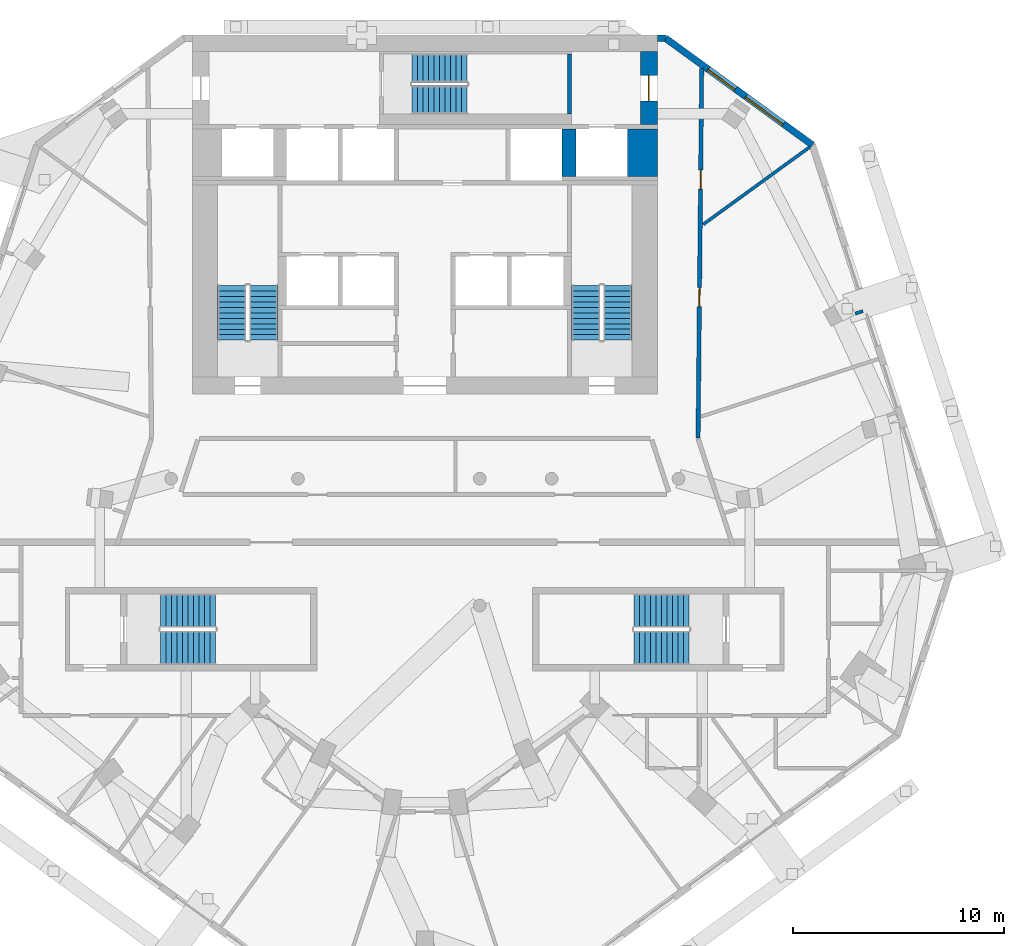
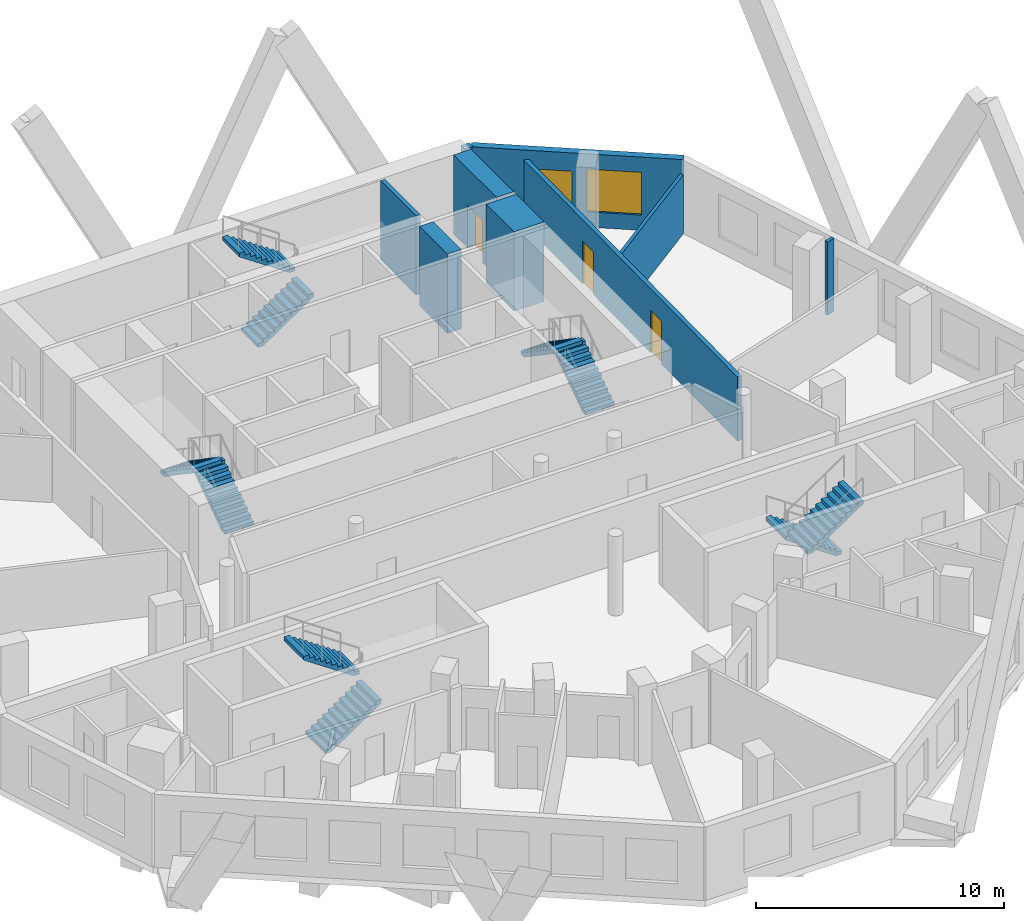
# One storey, part 8 of 10: 10 stair flights, 9 walls, 3 doors, 2 windows, 5 openings, 5 elements without a shape of their own.
"""IFC4 building model written with IfcOpenShell, lengths in metres."""

from ifc_helpers import new_model, si_unit, direction, frame, frame_2d, origin, place, context, subcontext, project, spatial, polyline, rectangle, outline, extrude, material, layer, layer_set, type_object, element, fill, aggregate, save


model = new_model("IFC4")

# Units and contexts
model_context = context("Model", 3, precision=1e-05, world=origin(), true_north=direction((0.0, 1.0)))
body_context = subcontext(model_context, "Body", "Model", "MODEL_VIEW")
ifc_project = project(units=[si_unit("LENGTHUNIT", "METRE"), si_unit("AREAUNIT", "SQUARE_METRE"), si_unit("VOLUMEUNIT", "CUBIC_METRE"), si_unit("PLANEANGLEUNIT", "RADIAN"), si_unit("MASSUNIT", "GRAM", prefix="KILO")], contexts=[model_context])

# Site, building, storey
site_placement = place(None, origin())
site = spatial("IfcSite", under=ifc_project, at=site_placement, CompositionType="ELEMENT")
building_placement = place(site_placement, origin())
building = spatial("IfcBuilding", under=site, at=building_placement, Name="White Candle Pilgrim Tower", CompositionType="ELEMENT")
storey_placement = place(building_placement, frame((0.0, 0.0, 196.5)))
storey = spatial("IfcBuildingStorey", under=building, at=storey_placement, Name="L45", CompositionType="ELEMENT", Elevation=196.5)

# Wall
ifc_material_1 = material(Name="Concrete C50/60", Category="concrete")
ifc_layer_1 = layer(ifc_material_1, 1.39990234375)
ifc_layer_set_1 = layer_set([ifc_layer_1], Name="Core wall 1400 mm Concrete C50/60")
wall_type_1 = type_object("IfcWallType", Name="Core wall 1400 mm Concrete C50/60", PredefinedType="SHEAR", material=ifc_layer_set_1)
wall_1_placement = place(storey_placement, frame((80.300048828125, 81.300048828125, 0.0), z_axis=(0.0, 0.0, 1.0), x_axis=(0.0, 1.0, 0.0)))
element("IfcWall", 1, at=wall_1_placement, inside=storey, type_object=wall_type_1, Name="WL-L45-C42", PredefinedType="SHEAR", context=body_context, shape_type="SweptSolid", body=[
    extrude(rectangle(XDim=2.25, YDim=1.39990234375, at=frame_2d((1.125, 0.0))), origin(), (0.0, 0.0, 1.0), 3.89990234375),
])

# Wall, opening, door
ifc_layer_2 = layer(ifc_material_1, 0.800048828125)
ifc_layer_set_2 = layer_set([ifc_layer_2], Name="Core wall 800 mm Concrete C50/60")
wall_type_2 = type_object("IfcWallType", Name="Core wall 800 mm Concrete C50/60", PredefinedType="SHEAR", material=ifc_layer_set_2)
wall_2_placement = place(storey_placement, frame((80.60009765625, 83.75, 0.0), z_axis=(0.0, 0.0, 1.0), x_axis=(0.0, 1.0, 0.0)))
wall_2 = element("IfcWall", 2, at=wall_2_placement, inside=storey, type_object=wall_type_2, Name="WL-L45-C46", PredefinedType="SHEAR", context=body_context, shape_type="SweptSolid", body=[
    extrude(rectangle(XDim=3.449951171875, YDim=0.800048828125, at=frame_2d((1.72509765625, 0.0))), origin(), (0.0, 0.0, 1.0), 3.89990234375),
])
opening_1_placement = place(wall_2_placement, frame((1.125, 0.0, 0.0)))
opening_1 = element("IfcOpeningElement", 3, at=opening_1_placement, cuts=wall_2, Name="Opening T14-009", PredefinedType="OPENING", context=body_context, shape_type="SweptSolid", body=[
    extrude(rectangle(XDim=1.199951171875, YDim=2.10009765625, at=frame_2d((0.60009765625, 1.050048828125))), frame((0.0, 0.409912109375, 0.0), z_axis=(0.0, -1.0, 0.0), x_axis=(1.0, 0.0, 0.0)), (0.0, 0.0, 1.0), 0.820068359375),
])
ifc_material_2 = material(Name="Steel door leaf", Category="steel")
door_type_1 = type_object("IfcDoorType", Name="Fire door 1200 x 2100 EI 30", OperationType="NOTDEFINED", PredefinedType="DOOR", material=ifc_material_2)
door_1_placement = place(opening_1_placement, origin())
door_1 = element("IfcDoor", 4, at=door_1_placement, inside=storey, type_object=door_type_1, Name="Door T14-009", OperationType="SINGLE_SWING_LEFT", OverallHeight=2.10009765625, OverallWidth=1.199951171875, PredefinedType="DOOR", context=body_context, shape_type="SweptSolid", body=[
    extrude(rectangle(XDim=1.199951171875, YDim=2.10009765625, at=frame_2d((0.60009765625, 1.050048828125))), frame((0.0, 0.02490234375, 0.0), z_axis=(0.0, -1.0, 0.0), x_axis=(1.0, 0.0, 0.0)), (0.0, 0.0, 1.0), 0.050048828125),
])
fill(opening_1, door_1)

# Wall, openings, doors
ifc_material_3 = material(Name="Gypsum board on steel studs", Category="steel")
ifc_layer_3 = layer(ifc_material_3, 0.199951171875)
ifc_layer_set_3 = layer_set([ifc_layer_3], Name="Corridor wall 200 mm EI 45")
wall_type_3 = type_object("IfcWallType", Name="Corridor wall 200 mm EI 45", PredefinedType="PARTITIONING", material=ifc_layer_set_3)
wall_3_placement = place(storey_placement, frame((83.10009765625, 86.396240234375, 0.0), z_axis=(0.0, 0.0, 1.0), x_axis=(-0.009846166448, -0.999951525328, 0.0)))
wall_3 = element("IfcWall", 5, at=wall_3_placement, inside=storey, type_object=wall_type_3, Name="WL-L45-P004", PredefinedType="PARTITIONING", context=body_context, shape_type="SweptSolid", body=[
    extrude(rectangle(XDim=17.480712890625, YDim=0.199951171875, at=frame_2d((8.740234375, 0.0))), origin(), (0.0, 0.0, 1.0), 3.14990234375),
])
opening_2_placement = place(wall_3_placement, frame((4.794189453125, 0.0, 0.0)))
opening_2 = element("IfcOpeningElement", 6, at=opening_2_placement, cuts=wall_3, Name="Opening T14-121", PredefinedType="OPENING", context=body_context, shape_type="SweptSolid", body=[
    extrude(rectangle(XDim=0.89990234375, YDim=2.10009765625, at=frame_2d((0.449951171875, 1.050048828125))), frame((0.0, 0.10986328125, 0.0), z_axis=(0.0, -1.0, 0.0), x_axis=(1.0, 0.0, 0.0)), (0.0, 0.0, 1.0), 0.219970703125),
])
opening_3_placement = place(wall_3_placement, frame((10.353515625, 0.0, 0.0)))
opening_3 = element("IfcOpeningElement", 7, at=opening_3_placement, cuts=wall_3, Name="Opening T14-122", PredefinedType="OPENING", context=body_context, shape_type="SweptSolid", body=[
    extrude(rectangle(XDim=0.89990234375, YDim=2.10009765625, at=frame_2d((0.449951171875, 1.050048828125))), frame((0.0, 0.10986328125, 0.0), z_axis=(0.0, -1.0, 0.0), x_axis=(1.0, 0.0, 0.0)), (0.0, 0.0, 1.0), 0.219970703125),
])
door_type_2 = type_object("IfcDoorType", Name="Fire door 900 x 2100 EI 30", OperationType="NOTDEFINED", PredefinedType="DOOR", material=ifc_material_2)
door_2_placement = place(opening_2_placement, origin())
door_2 = element("IfcDoor", 8, at=door_2_placement, inside=storey, type_object=door_type_2, Name="Door T14-121", OperationType="SINGLE_SWING_LEFT", OverallHeight=2.10009765625, OverallWidth=0.89990234375, PredefinedType="DOOR", context=body_context, shape_type="SweptSolid", body=[
    extrude(rectangle(XDim=0.89990234375, YDim=2.10009765625, at=frame_2d((0.449951171875, 1.050048828125))), frame((0.0, 0.02490234375, 0.0), z_axis=(0.0, -1.0, 0.0), x_axis=(1.0, 0.0, 0.0)), (0.0, 0.0, 1.0), 0.050048828125),
])
fill(opening_2, door_2)
door_3_placement = place(opening_3_placement, origin())
door_3 = element("IfcDoor", 9, at=door_3_placement, inside=storey, type_object=door_type_2, Name="Door T14-122", OperationType="SINGLE_SWING_RIGHT", OverallHeight=2.10009765625, OverallWidth=0.89990234375, PredefinedType="DOOR", context=body_context, shape_type="SweptSolid", body=[
    extrude(rectangle(XDim=0.89990234375, YDim=2.10009765625, at=frame_2d((0.449951171875, 1.050048828125))), frame((0.0, 0.02490234375, 0.0), z_axis=(0.0, -1.0, 0.0), x_axis=(1.0, 0.0, 0.0)), (0.0, 0.0, 1.0), 0.050048828125),
])
fill(opening_3, door_3)

# Wall, openings, windows
ifc_material_4 = material(Name="Precast concrete C40/50", Category="concrete")
ifc_layer_4 = layer(ifc_material_4, 0.320068359375)
ifc_layer_set_4 = layer_set([ifc_layer_4], Name="Facade wall EW1 precast concrete C40/50 pier wall with timber-lined reveals")
wall_type_4 = type_object("IfcWallType", Name="Facade wall EW1 precast concrete C40/50 pier wall with timber-lined reveals", PredefinedType="SOLIDWALL", material=ifc_layer_set_4)
wall_4_placement = place(storey_placement, frame((88.342041015625, 82.785400390625, 0.0), z_axis=(0.0, 0.0, 1.0), x_axis=(-0.809010998506, 0.58779350481, 0.0)))
wall_4 = element("IfcWall", 10, at=wall_4_placement, inside=storey, type_object=wall_type_4, Name="Facade wall L45 NE chamfer", PredefinedType="SOLIDWALL", context=body_context, shape_type="SweptSolid", body=[
    extrude(rectangle(XDim=8.599365234375, YDim=0.320068359375, at=frame_2d((4.2998046875, 0.0))), origin(), (0.0, 0.0, 1.0), 3.60009765625),
])
opening_4_placement = place(wall_4_placement, frame((1.69970703125, 0.0, 0.75)))
opening_4 = element("IfcOpeningElement", 11, at=opening_4_placement, cuts=wall_4, Name="Opening W4", PredefinedType="OPENING", context=body_context, shape_type="SweptSolid", body=[
    extrude(rectangle(XDim=2.199951171875, YDim=2.10009765625, at=frame_2d((1.10009765625, 1.050048828125))), frame((0.0, 0.169921875, 0.0), z_axis=(0.0, -1.0, 0.0), x_axis=(1.0, 0.0, 0.0)), (0.0, 0.0, 1.0), 0.340087890625),
])
opening_5_placement = place(wall_4_placement, frame((4.499755859375, 0.0, 0.89990234375)))
opening_5 = element("IfcOpeningElement", 12, at=opening_5_placement, cuts=wall_4, Name="Opening W2", PredefinedType="OPENING", context=body_context, shape_type="SweptSolid", body=[
    extrude(rectangle(XDim=1.60009765625, YDim=1.800048828125, at=frame_2d((0.800048828125, 0.89990234375))), frame((0.0, 0.169921875, 0.0), z_axis=(0.0, -1.0, 0.0), x_axis=(1.0, 0.0, 0.0)), (0.0, 0.0, 1.0), 0.340087890625),
])
ifc_material_5 = material(Name="Timber frame with triple glazing", Category="wood")
window_type_1 = type_object("IfcWindowType", Name="Window W2 1600x1800 timber frame triple glazing", PartitioningType="SINGLE_PANEL", PredefinedType="WINDOW", material=ifc_material_5)
window_1_placement = place(opening_5_placement, origin())
window_1 = element("IfcWindow", 13, at=window_1_placement, inside=storey, type_object=window_type_1, Name="Window W2 L45 NE chamfer 2", OverallHeight=1.800048828125, OverallWidth=1.60009765625, PartitioningType="SINGLE_PANEL", PredefinedType="WINDOW", context=body_context, shape_type="SweptSolid", body=[
    extrude(rectangle(XDim=1.60009765625, YDim=1.800048828125, at=frame_2d((0.800048828125, 0.89990234375))), frame((0.0, 0.070068359375, 0.0), z_axis=(0.0, -1.0, 0.0), x_axis=(1.0, 0.0, 0.0)), (0.0, 0.0, 1.0), 0.06005859375),
])
fill(opening_5, window_1)
window_type_2 = type_object("IfcWindowType", Name="Window W4 2200x2100 timber frame triple glazing", PartitioningType="SINGLE_PANEL", PredefinedType="WINDOW", material=ifc_material_5)
window_2_placement = place(opening_4_placement, origin())
window_2 = element("IfcWindow", 14, at=window_2_placement, inside=storey, type_object=window_type_2, Name="Window W4 L45 NE chamfer 1", OverallHeight=2.10009765625, OverallWidth=2.199951171875, PartitioningType="SINGLE_PANEL", PredefinedType="WINDOW", context=body_context, shape_type="SweptSolid", body=[
    extrude(rectangle(XDim=2.199951171875, YDim=2.10009765625, at=frame_2d((1.10009765625, 1.050048828125))), frame((0.0, 0.070068359375, 0.0), z_axis=(0.0, -1.0, 0.0), x_axis=(1.0, 0.0, 0.0)), (0.0, 0.0, 1.0), 0.06005859375),
])
fill(opening_4, window_2)

# Walls
wall_5_placement = place(storey_placement, frame((81.385009765625, 87.840087890625, 0.0), z_axis=(0.0, 0.0, 1.0), x_axis=(-1.0, 0.0, 0.0)))
element("IfcWall", 15, at=wall_5_placement, inside=storey, type_object=wall_type_4, Name="Facade wall L45 N", PredefinedType="SOLIDWALL", context=body_context, shape_type="SweptSolid", body=[
    extrude(rectangle(XDim=0.385009765625, YDim=0.320068359375, at=frame_2d((0.1923828125, 0.0))), origin(), (0.0, 0.0, 1.0), 3.60009765625),
])
ifc_layer_5 = layer(ifc_material_3, 0.14990234375)
ifc_layer_set_5 = layer_set([ifc_layer_5], Name="Partition 150 mm EI 60")
wall_type_5 = type_object("IfcWallType", Name="Partition 150 mm EI 60", PredefinedType="PARTITIONING", material=ifc_layer_set_5)
wall_6_placement = place(storey_placement, frame((88.2060546875, 82.6865234375, 0.0), z_axis=(0.0, 0.0, 1.0), x_axis=(-0.809027823237, -0.587770347354, 0.0)))
element("IfcWall", 16, at=wall_6_placement, inside=storey, type_object=wall_type_5, Name="WL-L45-P024", PredefinedType="PARTITIONING", context=body_context, shape_type="SweptSolid", body=[
    extrude(rectangle(XDim=6.22216796875, YDim=0.14990234375, at=frame_2d((3.111083984375, 0.0))), origin(), (0.0, 0.0, 1.0), 2.89990234375),
])
wall_7_placement = place(storey_placement, frame((90.364501953125, 74.80859375, 0.0), z_axis=(0.0, 0.0, 1.0), x_axis=(0.951024661998, 0.309115014633, 0.0)))
element("IfcWall", 17, at=wall_7_placement, inside=storey, type_object=wall_type_5, Name="WL-L45-P050", PredefinedType="PARTITIONING", context=body_context, shape_type="SweptSolid", body=[
    extrude(rectangle(XDim=0.381591796875, YDim=0.14990234375, at=frame_2d((0.19091796875, 0.0))), origin(), (0.0, 0.0, 1.0), 3.60009765625),
])
ifc_layer_6 = layer(ifc_material_1, 0.64990234375)
ifc_layer_set_6 = layer_set([ifc_layer_6], Name="Shaft wall 650 mm Concrete C50/60")
wall_type_6 = type_object("IfcWallType", Name="Shaft wall 650 mm Concrete C50/60", PredefinedType="SHEAR", material=ifc_layer_set_6)
wall_8_placement = place(storey_placement, frame((76.824951171875, 81.300048828125, 0.0), z_axis=(0.0, 0.0, 1.0), x_axis=(0.0, 1.0, 0.0)))
element("IfcWall", 18, at=wall_8_placement, inside=storey, type_object=wall_type_6, Name="WL-L45-C41", PredefinedType="SHEAR", context=body_context, shape_type="SweptSolid", body=[
    extrude(rectangle(XDim=2.25, YDim=0.64990234375, at=frame_2d((1.125, 0.0))), origin(), (0.0, 0.0, 1.0), 3.89990234375),
])
ifc_layer_7 = layer(ifc_material_1, 0.199951171875)
ifc_layer_set_7 = layer_set([ifc_layer_7], Name="Stair shaft wall 200 mm Concrete C50/60")
wall_type_7 = type_object("IfcWallType", Name="Stair shaft wall 200 mm Concrete C50/60", PredefinedType="SHEAR", material=ifc_layer_set_7)
wall_9_placement = place(storey_placement, frame((76.85009765625, 84.25, 0.0), z_axis=(0.0, 0.0, 1.0), x_axis=(0.0, 1.0, 0.0)))
element("IfcWall", 19, at=wall_9_placement, inside=storey, type_object=wall_type_7, Name="WL-L45-C48", PredefinedType="SHEAR", context=body_context, shape_type="SweptSolid", body=[
    extrude(rectangle(XDim=2.85009765625, YDim=0.199951171875, at=frame_2d((1.425048828125, 0.0))), origin(), (0.0, 0.0, 1.0), 3.89990234375),
])

# Stair, stair flights
ifc_material_6 = material(Name="Concrete C40/50", Category="concrete")
stair_type_1 = type_object("IfcStairType", Name="Exit stair 1 flight width 1350 mm", PredefinedType="HALF_TURN_STAIR", material=ifc_material_6)
stair_1_placement = place(storey_placement, origin())
stair_1 = element("IfcStair", 20, at=stair_1_placement, inside=storey, type_object=stair_type_1, Name="L45 stair 1", PredefinedType="NOTDEFINED")
ifc_layer_8 = layer(ifc_material_6, 0.14990234375)
ifc_layer_set_8 = layer_set([ifc_layer_8], Name="Stair flight Concrete C40/50")
stair_flight_type = type_object("IfcStairFlightType", Name="Stair flight Concrete C40/50", PredefinedType="STRAIGHT", material=ifc_layer_set_8)
stair_flight_1_placement = place(storey_placement, frame((62.375, 73.550048828125, 0.0), z_axis=(0.0, 0.0, 1.0), x_axis=(0.0, 1.0, 0.0)))
stair_flight_1 = element("IfcStairFlight", 21, at=stair_flight_1_placement, type_object=stair_flight_type, Name="ST1 flight 1", NumberOfRisers=11, NumberOfTreads=10, PredefinedType="NOTDEFINED", RiserHeight=0.177272727, TreadLength=0.26, context=body_context, shape_type="SweptSolid", body=[
    extrude(outline(polyline([(0.0, 0.0), (0.0, 0.17724609375), (0.260009765625, 0.17724609375), (0.260009765625, 0.3544921875), (0.52001953125, 0.3544921875), (0.52001953125, 0.53173828125), (0.780029296875, 0.53173828125), (0.780029296875, 0.708984375), (1.0400390625, 0.708984375), (1.0400390625, 0.886474609375), (1.300048828125, 0.886474609375), (1.300048828125, 1.063720703125), (1.56005859375, 1.063720703125), (1.56005859375, 1.240966796875), (1.820068359375, 1.240966796875), (1.820068359375, 1.418212890625), (2.080078125, 1.418212890625), (2.080078125, 1.595458984375), (2.340087890625, 1.595458984375), (2.340087890625, 1.772705078125), (2.60009765625, 1.772705078125), (2.60009765625, 1.949951171875), (2.60009765625, 1.59130859375), (0.26611328125, 0.0), (0.0, 0.0)])), frame((0.0, 0.675048828125, 0.0), z_axis=(0.0, -1.0, 0.0), x_axis=(1.0, 0.0, 0.0)), (0.0, 0.0, 1.0), 1.35009765625),
])
stair_flight_2_placement = place(storey_placement, frame((60.875, 76.14990234375, 1.949951171875), z_axis=(0.0, 0.0, 1.0), x_axis=(0.0, -1.0, 0.0)))
stair_flight_2 = element("IfcStairFlight", 22, at=stair_flight_2_placement, type_object=stair_flight_type, Name="ST1 flight 2", NumberOfRisers=11, NumberOfTreads=10, PredefinedType="NOTDEFINED", RiserHeight=0.177272727, TreadLength=0.26, context=body_context, shape_type="SweptSolid", body=[
    extrude(outline(polyline([(0.0, 0.0), (0.0, 0.17724609375), (0.260009765625, 0.17724609375), (0.260009765625, 0.3544921875), (0.52001953125, 0.3544921875), (0.52001953125, 0.53173828125), (0.780029296875, 0.53173828125), (0.780029296875, 0.708984375), (1.0400390625, 0.708984375), (1.0400390625, 0.886474609375), (1.300048828125, 0.886474609375), (1.300048828125, 1.063720703125), (1.56005859375, 1.063720703125), (1.56005859375, 1.240966796875), (1.820068359375, 1.240966796875), (1.820068359375, 1.418212890625), (2.080078125, 1.418212890625), (2.080078125, 1.595458984375), (2.340087890625, 1.595458984375), (2.340087890625, 1.772705078125), (2.60009765625, 1.772705078125), (2.60009765625, 1.949951171875), (2.60009765625, 1.59130859375), (0.26611328125, 0.0), (0.0, 0.0)])), frame((0.0, 0.675048828125, 0.0), z_axis=(0.0, -1.0, 0.0), x_axis=(1.0, 0.0, 0.0)), (0.0, 0.0, 1.0), 1.35009765625),
])
aggregate(stair_1, [stair_flight_1, stair_flight_2])

stair_type_2 = type_object("IfcStairType", Name="Exit stair 2 flight width 1350 mm", PredefinedType="HALF_TURN_STAIR", material=ifc_material_6)
stair_2_placement = place(storey_placement, origin())
stair_2 = element("IfcStair", 23, at=stair_2_placement, inside=storey, type_object=stair_type_2, Name="L45 stair 2", PredefinedType="NOTDEFINED")
stair_flight_3_placement = place(storey_placement, frame((79.125, 73.550048828125, 0.0), z_axis=(0.0, 0.0, 1.0), x_axis=(0.0, 1.0, 0.0)))
stair_flight_3 = element("IfcStairFlight", 24, at=stair_flight_3_placement, type_object=stair_flight_type, Name="ST2 flight 1", NumberOfRisers=11, NumberOfTreads=10, PredefinedType="NOTDEFINED", RiserHeight=0.177272727, TreadLength=0.26, context=body_context, shape_type="SweptSolid", body=[
    extrude(outline(polyline([(0.0, 0.0), (0.0, 0.17724609375), (0.260009765625, 0.17724609375), (0.260009765625, 0.3544921875), (0.52001953125, 0.3544921875), (0.52001953125, 0.53173828125), (0.780029296875, 0.53173828125), (0.780029296875, 0.708984375), (1.0400390625, 0.708984375), (1.0400390625, 0.886474609375), (1.300048828125, 0.886474609375), (1.300048828125, 1.063720703125), (1.56005859375, 1.063720703125), (1.56005859375, 1.240966796875), (1.820068359375, 1.240966796875), (1.820068359375, 1.418212890625), (2.080078125, 1.418212890625), (2.080078125, 1.595458984375), (2.340087890625, 1.595458984375), (2.340087890625, 1.772705078125), (2.60009765625, 1.772705078125), (2.60009765625, 1.949951171875), (2.60009765625, 1.59130859375), (0.26611328125, 0.0), (0.0, 0.0)])), frame((0.0, 0.675048828125, 0.0), z_axis=(0.0, -1.0, 0.0), x_axis=(1.0, 0.0, 0.0)), (0.0, 0.0, 1.0), 1.35009765625),
])
stair_flight_4_placement = place(storey_placement, frame((77.625, 76.14990234375, 1.949951171875), z_axis=(0.0, 0.0, 1.0), x_axis=(0.0, -1.0, 0.0)))
stair_flight_4 = element("IfcStairFlight", 25, at=stair_flight_4_placement, type_object=stair_flight_type, Name="ST2 flight 2", NumberOfRisers=11, NumberOfTreads=10, PredefinedType="NOTDEFINED", RiserHeight=0.177272727, TreadLength=0.26, context=body_context, shape_type="SweptSolid", body=[
    extrude(outline(polyline([(0.0, 0.0), (0.0, 0.17724609375), (0.260009765625, 0.17724609375), (0.260009765625, 0.3544921875), (0.52001953125, 0.3544921875), (0.52001953125, 0.53173828125), (0.780029296875, 0.53173828125), (0.780029296875, 0.708984375), (1.0400390625, 0.708984375), (1.0400390625, 0.886474609375), (1.300048828125, 0.886474609375), (1.300048828125, 1.063720703125), (1.56005859375, 1.063720703125), (1.56005859375, 1.240966796875), (1.820068359375, 1.240966796875), (1.820068359375, 1.418212890625), (2.080078125, 1.418212890625), (2.080078125, 1.595458984375), (2.340087890625, 1.595458984375), (2.340087890625, 1.772705078125), (2.60009765625, 1.772705078125), (2.60009765625, 1.949951171875), (2.60009765625, 1.59130859375), (0.26611328125, 0.0), (0.0, 0.0)])), frame((0.0, 0.675048828125, 0.0), z_axis=(0.0, -1.0, 0.0), x_axis=(1.0, 0.0, 0.0)), (0.0, 0.0, 1.0), 1.35009765625),
])
aggregate(stair_2, [stair_flight_3, stair_flight_4])

stair_type_3 = type_object("IfcStairType", Name="Exit stair 3 flight width 1350 mm", PredefinedType="HALF_TURN_STAIR", material=ifc_material_6)
stair_3_placement = place(storey_placement, origin())
stair_3 = element("IfcStair", 26, at=stair_3_placement, inside=storey, type_object=stair_type_3, Name="L45 stair 3", PredefinedType="NOTDEFINED")
stair_flight_5_placement = place(storey_placement, frame((69.39990234375, 84.925048828125, 0.0), z_axis=(0.0, 0.0, 1.0), x_axis=(1.0, 0.0, 0.0)))
stair_flight_5 = element("IfcStairFlight", 27, at=stair_flight_5_placement, type_object=stair_flight_type, Name="ST3 flight 1", NumberOfRisers=11, NumberOfTreads=10, PredefinedType="NOTDEFINED", RiserHeight=0.177272727, TreadLength=0.26, context=body_context, shape_type="SweptSolid", body=[
    extrude(outline(polyline([(0.0, 0.0), (0.0, 0.17724609375), (0.260009765625, 0.17724609375), (0.260009765625, 0.3544921875), (0.52001953125, 0.3544921875), (0.52001953125, 0.53173828125), (0.780029296875, 0.53173828125), (0.780029296875, 0.708984375), (1.0400390625, 0.708984375), (1.0400390625, 0.886474609375), (1.300048828125, 0.886474609375), (1.300048828125, 1.063720703125), (1.56005859375, 1.063720703125), (1.56005859375, 1.240966796875), (1.820068359375, 1.240966796875), (1.820068359375, 1.418212890625), (2.080078125, 1.418212890625), (2.080078125, 1.595458984375), (2.340087890625, 1.595458984375), (2.340087890625, 1.772705078125), (2.60009765625, 1.772705078125), (2.60009765625, 1.949951171875), (2.60009765625, 1.59130859375), (0.26611328125, 0.0), (0.0, 0.0)])), frame((0.0, 0.675048828125, 0.0), z_axis=(0.0, -1.0, 0.0), x_axis=(1.0, 0.0, 0.0)), (0.0, 0.0, 1.0), 1.35009765625),
])
stair_flight_6_placement = place(storey_placement, frame((72.0, 86.425048828125, 1.949951171875), z_axis=(0.0, 0.0, 1.0), x_axis=(-1.0, 0.0, 0.0)))
stair_flight_6 = element("IfcStairFlight", 28, at=stair_flight_6_placement, type_object=stair_flight_type, Name="ST3 flight 2", NumberOfRisers=11, NumberOfTreads=10, PredefinedType="NOTDEFINED", RiserHeight=0.177272727, TreadLength=0.26, context=body_context, shape_type="SweptSolid", body=[
    extrude(outline(polyline([(0.0, 0.0), (0.0, 0.17724609375), (0.260009765625, 0.17724609375), (0.260009765625, 0.3544921875), (0.52001953125, 0.3544921875), (0.52001953125, 0.53173828125), (0.780029296875, 0.53173828125), (0.780029296875, 0.708984375), (1.0400390625, 0.708984375), (1.0400390625, 0.886474609375), (1.300048828125, 0.886474609375), (1.300048828125, 1.063720703125), (1.56005859375, 1.063720703125), (1.56005859375, 1.240966796875), (1.820068359375, 1.240966796875), (1.820068359375, 1.418212890625), (2.080078125, 1.418212890625), (2.080078125, 1.595458984375), (2.340087890625, 1.595458984375), (2.340087890625, 1.772705078125), (2.60009765625, 1.772705078125), (2.60009765625, 1.949951171875), (2.60009765625, 1.59130859375), (0.26611328125, 0.0), (0.0, 0.0)])), frame((0.0, 0.675048828125, 0.0), z_axis=(0.0, -1.0, 0.0), x_axis=(1.0, 0.0, 0.0)), (0.0, 0.0, 1.0), 1.35009765625),
])
aggregate(stair_3, [stair_flight_5, stair_flight_6])

stair_type_4 = type_object("IfcStairType", Name="Exit stair 4 flight width 1600 mm", PredefinedType="HALF_TURN_STAIR", material=ifc_material_6)
stair_4_placement = place(storey_placement, origin())
stair_4 = element("IfcStair", 29, at=stair_4_placement, inside=storey, type_object=stair_type_4, Name="L45 stair 4", PredefinedType="NOTDEFINED")
stair_flight_7_placement = place(storey_placement, frame((82.5, 60.75, 0.0), z_axis=(0.0, 0.0, 1.0), x_axis=(-1.0, 0.0, 0.0)))
stair_flight_7 = element("IfcStairFlight", 30, at=stair_flight_7_placement, type_object=stair_flight_type, Name="ST4 flight 1", NumberOfRisers=11, NumberOfTreads=10, PredefinedType="NOTDEFINED", RiserHeight=0.177272727, TreadLength=0.26, context=body_context, shape_type="SweptSolid", body=[
    extrude(outline(polyline([(0.0, 0.0), (0.0, 0.17724609375), (0.260009765625, 0.17724609375), (0.260009765625, 0.3544921875), (0.52001953125, 0.3544921875), (0.52001953125, 0.53173828125), (0.780029296875, 0.53173828125), (0.780029296875, 0.708984375), (1.0400390625, 0.708984375), (1.0400390625, 0.886474609375), (1.300048828125, 0.886474609375), (1.300048828125, 1.063720703125), (1.56005859375, 1.063720703125), (1.56005859375, 1.240966796875), (1.820068359375, 1.240966796875), (1.820068359375, 1.418212890625), (2.080078125, 1.418212890625), (2.080078125, 1.595458984375), (2.340087890625, 1.595458984375), (2.340087890625, 1.772705078125), (2.60009765625, 1.772705078125), (2.60009765625, 1.949951171875), (2.60009765625, 1.59130859375), (0.26611328125, 0.0), (0.0, 0.0)])), frame((0.0, 0.800048828125, 0.0), z_axis=(0.0, -1.0, 0.0), x_axis=(1.0, 0.0, 0.0)), (0.0, 0.0, 1.0), 1.60009765625),
])
stair_flight_8_placement = place(storey_placement, frame((79.89990234375, 59.0, 1.949951171875), z_axis=(0.0, 0.0, 1.0), x_axis=(1.0, 0.0, 0.0)))
stair_flight_8 = element("IfcStairFlight", 31, at=stair_flight_8_placement, type_object=stair_flight_type, Name="ST4 flight 2", NumberOfRisers=11, NumberOfTreads=10, PredefinedType="NOTDEFINED", RiserHeight=0.177272727, TreadLength=0.26, context=body_context, shape_type="SweptSolid", body=[
    extrude(outline(polyline([(0.0, 0.0), (0.0, 0.17724609375), (0.260009765625, 0.17724609375), (0.260009765625, 0.3544921875), (0.52001953125, 0.3544921875), (0.52001953125, 0.53173828125), (0.780029296875, 0.53173828125), (0.780029296875, 0.708984375), (1.0400390625, 0.708984375), (1.0400390625, 0.886474609375), (1.300048828125, 0.886474609375), (1.300048828125, 1.063720703125), (1.56005859375, 1.063720703125), (1.56005859375, 1.240966796875), (1.820068359375, 1.240966796875), (1.820068359375, 1.418212890625), (2.080078125, 1.418212890625), (2.080078125, 1.595458984375), (2.340087890625, 1.595458984375), (2.340087890625, 1.772705078125), (2.60009765625, 1.772705078125), (2.60009765625, 1.949951171875), (2.60009765625, 1.59130859375), (0.26611328125, 0.0), (0.0, 0.0)])), frame((0.0, 0.800048828125, 0.0), z_axis=(0.0, -1.0, 0.0), x_axis=(1.0, 0.0, 0.0)), (0.0, 0.0, 1.0), 1.60009765625),
])
aggregate(stair_4, [stair_flight_7, stair_flight_8])

stair_type_5 = type_object("IfcStairType", Name="Exit stair 5 flight width 1600 mm", PredefinedType="HALF_TURN_STAIR", material=ifc_material_6)
stair_5_placement = place(storey_placement, origin())
stair_5 = element("IfcStair", 32, at=stair_5_placement, inside=storey, type_object=stair_type_5, Name="L45 stair 5", PredefinedType="NOTDEFINED")
stair_flight_9_placement = place(storey_placement, frame((57.5, 59.0, 0.0), z_axis=(0.0, 0.0, 1.0), x_axis=(1.0, 0.0, 0.0)))
stair_flight_9 = element("IfcStairFlight", 33, at=stair_flight_9_placement, type_object=stair_flight_type, Name="ST5 flight 1", NumberOfRisers=11, NumberOfTreads=10, PredefinedType="NOTDEFINED", RiserHeight=0.177272727, TreadLength=0.26, context=body_context, shape_type="SweptSolid", body=[
    extrude(outline(polyline([(0.0, 0.0), (0.0, 0.17724609375), (0.260009765625, 0.17724609375), (0.260009765625, 0.3544921875), (0.52001953125, 0.3544921875), (0.52001953125, 0.53173828125), (0.780029296875, 0.53173828125), (0.780029296875, 0.708984375), (1.0400390625, 0.708984375), (1.0400390625, 0.886474609375), (1.300048828125, 0.886474609375), (1.300048828125, 1.063720703125), (1.56005859375, 1.063720703125), (1.56005859375, 1.240966796875), (1.820068359375, 1.240966796875), (1.820068359375, 1.418212890625), (2.080078125, 1.418212890625), (2.080078125, 1.595458984375), (2.340087890625, 1.595458984375), (2.340087890625, 1.772705078125), (2.60009765625, 1.772705078125), (2.60009765625, 1.949951171875), (2.60009765625, 1.59130859375), (0.26611328125, 0.0), (0.0, 0.0)])), frame((0.0, 0.800048828125, 0.0), z_axis=(0.0, -1.0, 0.0), x_axis=(1.0, 0.0, 0.0)), (0.0, 0.0, 1.0), 1.60009765625),
])
stair_flight_10_placement = place(storey_placement, frame((60.10009765625, 60.75, 1.949951171875), z_axis=(0.0, 0.0, 1.0), x_axis=(-1.0, 0.0, 0.0)))
stair_flight_10 = element("IfcStairFlight", 34, at=stair_flight_10_placement, type_object=stair_flight_type, Name="ST5 flight 2", NumberOfRisers=11, NumberOfTreads=10, PredefinedType="NOTDEFINED", RiserHeight=0.177272727, TreadLength=0.26, context=body_context, shape_type="SweptSolid", body=[
    extrude(outline(polyline([(0.0, 0.0), (0.0, 0.17724609375), (0.260009765625, 0.17724609375), (0.260009765625, 0.3544921875), (0.52001953125, 0.3544921875), (0.52001953125, 0.53173828125), (0.780029296875, 0.53173828125), (0.780029296875, 0.708984375), (1.0400390625, 0.708984375), (1.0400390625, 0.886474609375), (1.300048828125, 0.886474609375), (1.300048828125, 1.063720703125), (1.56005859375, 1.063720703125), (1.56005859375, 1.240966796875), (1.820068359375, 1.240966796875), (1.820068359375, 1.418212890625), (2.080078125, 1.418212890625), (2.080078125, 1.595458984375), (2.340087890625, 1.595458984375), (2.340087890625, 1.772705078125), (2.60009765625, 1.772705078125), (2.60009765625, 1.949951171875), (2.60009765625, 1.59130859375), (0.26611328125, 0.0), (0.0, 0.0)])), frame((0.0, 0.800048828125, 0.0), z_axis=(0.0, -1.0, 0.0), x_axis=(1.0, 0.0, 0.0)), (0.0, 0.0, 1.0), 1.60009765625),
])
aggregate(stair_5, [stair_flight_9, stair_flight_10])

save(model, "model.ifc")
